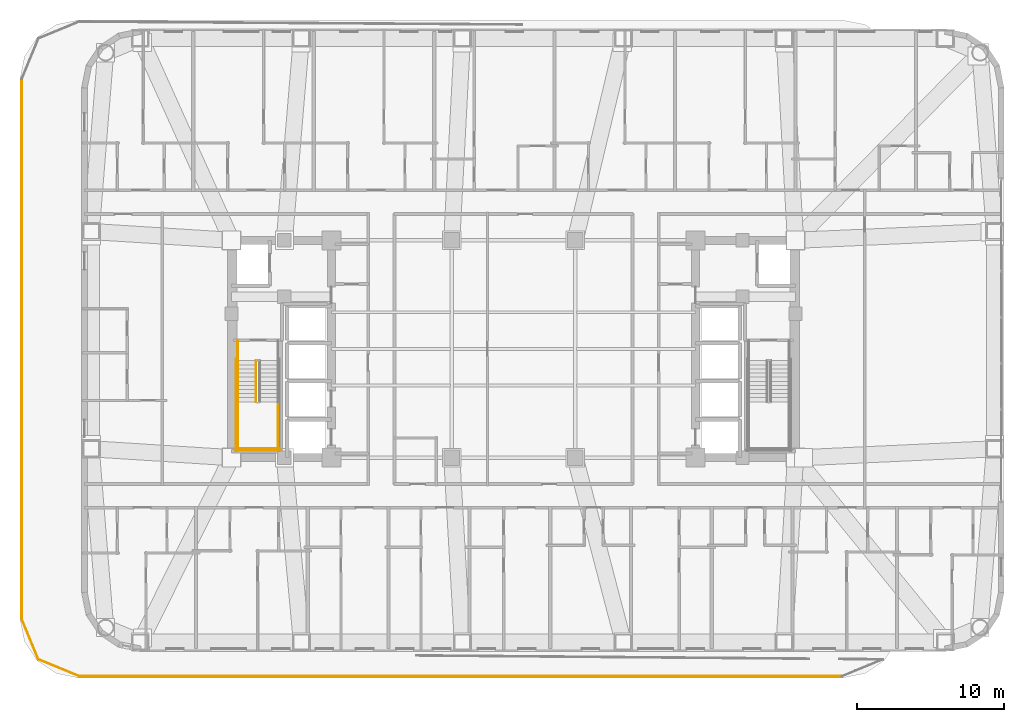
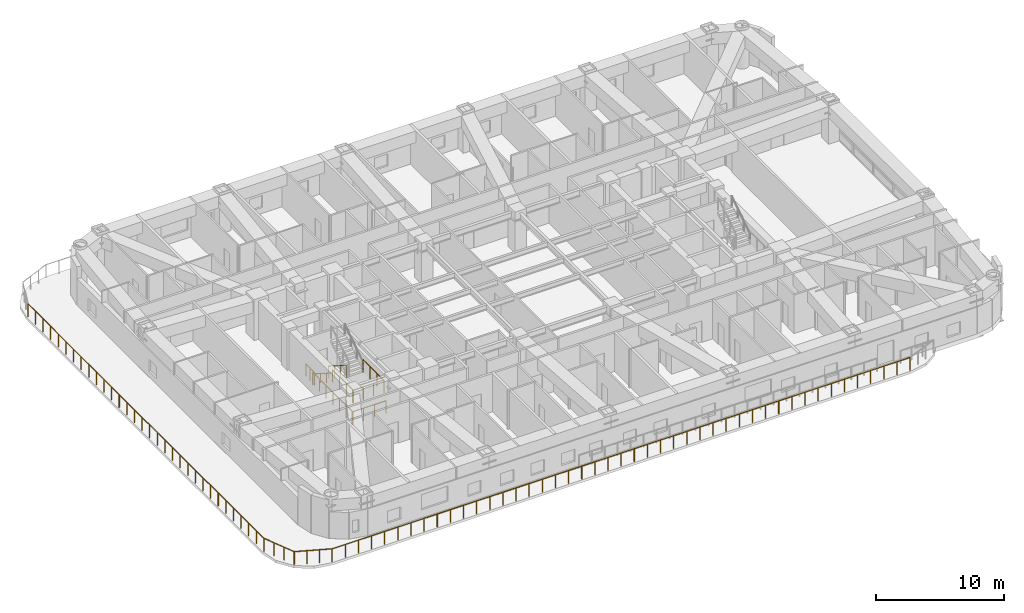
# One storey, part 14 of 18: 12 railings.
"""IFC4 building model written with IfcOpenShell, lengths in metres."""

from ifc_helpers import new_model, si_unit, direction, frame, origin, origin_2d, place, context, subcontext, project, spatial, circle, extrude, material, type_object, element, save


model = new_model("IFC4")

# Units and contexts
model_context = context("Model", 3, precision=1e-05, world=origin(), true_north=direction((0.0, 1.0)))
body_context = subcontext(model_context, "Body", "Model", "MODEL_VIEW")
ifc_project = project(units=[si_unit("LENGTHUNIT", "METRE"), si_unit("AREAUNIT", "SQUARE_METRE"), si_unit("VOLUMEUNIT", "CUBIC_METRE"), si_unit("PLANEANGLEUNIT", "RADIAN"), si_unit("MASSUNIT", "GRAM", prefix="KILO")], contexts=[model_context])

# Site, building, storey
site_placement = place(None, origin())
site = spatial("IfcSite", under=ifc_project, at=site_placement, CompositionType="ELEMENT")
building_placement = place(site_placement, origin())
building = spatial("IfcBuilding", under=site, at=building_placement, Name="Voryun Gate Residences", CompositionType="ELEMENT")
storey_placement = place(building_placement, frame((0.0, 0.0, 85.800048828125)))
storey = spatial("IfcBuildingStorey", under=building, at=storey_placement, Name="L20", CompositionType="ELEMENT", Elevation=85.800048828125)

# Railings
ifc_material_1 = material(Name="Painted steel", Category="steel")
railing_type_1 = type_object("IfcRailingType", Name="RAIL_STAIR_GUARD_1200", PredefinedType="GUARDRAIL", material=ifc_material_1)
railing_1_placement = place(storey_placement, frame((-17.52490234375, -0.800048828125, 0.17724609375)))
element("IfcRailing", 1, at=railing_1_placement, inside=storey, type_object=railing_type_1, Name="L20 ST-W1 stair guard 1", PredefinedType="GUARDRAIL", context=body_context, shape_type="SweptSolid", body=[
    extrude(circle(Radius=0.02392578125, at=origin_2d()), frame((0.0, 0.0, 1.17578125), z_axis=(0.0, -0.844908973607, 0.534910110503), x_axis=(1.0, 0.0, 0.0)), (0.0, 0.0, 1.0), 3.31396484375),
    extrude(circle(Radius=0.02099609375, at=origin_2d()), origin(), (0.0, 0.0, 1.0), 1.15185546875),
    extrude(circle(Radius=0.02099609375, at=origin_2d()), frame((0.0, -0.933349609375, 0.5908203125)), (0.0, 0.0, 1.0), 1.15185546875),
    extrude(circle(Radius=0.02099609375, at=origin_2d()), frame((0.0, -1.86669921875, 1.181884765625)), (0.0, 0.0, 1.0), 1.15185546875),
    extrude(circle(Radius=0.02099609375, at=origin_2d()), frame((0.0, -2.800048828125, 1.772705078125)), (0.0, 0.0, 1.0), 1.15185546875),
])
for number, where, name in (
    (2, (-18.77490234375, -3.60009765625, 1.949951171875), "L20 ST-W1 stair guard 3"),
    (3, (-16.02490234375, -3.60009765625, 1.949951171875), "L20 ST-W1 stair guard 4"),
):
    element("IfcRailing", number, at=place(storey_placement, frame(where)), inside=storey, type_object=railing_type_1, Name=name, PredefinedType="GUARDRAIL", context=body_context, shape_type="SweptSolid", body=[
        extrude(circle(Radius=0.02392578125, at=origin_2d()), frame((0.0, 0.0, 1.17578125), z_axis=(0.0, -1.0, 0.0), x_axis=(1.0, 0.0, 0.0)), (0.0, 0.0, 1.0), 3.25),
        extrude(circle(Radius=0.02099609375, at=origin_2d()), origin(), (0.0, 0.0, 1.0), 1.15185546875),
        extrude(circle(Radius=0.02099609375, at=origin_2d()), frame((0.0, -1.083251953125, 0.0)), (0.0, 0.0, 1.0), 1.15185546875),
        extrude(circle(Radius=0.02099609375, at=origin_2d()), frame((0.0, -2.166748046875, 0.0)), (0.0, 0.0, 1.0), 1.15185546875),
        extrude(circle(Radius=0.02099609375, at=origin_2d()), frame((0.0, -3.25, 0.0)), (0.0, 0.0, 1.0), 1.15185546875),
    ])
railing_2_placement = place(storey_placement, frame((-18.824951171875, -6.800048828125, 1.949951171875)))
element("IfcRailing", 4, at=railing_2_placement, inside=storey, type_object=railing_type_1, Name="L20 ST-W1 stair guard 5", PredefinedType="GUARDRAIL", context=body_context, shape_type="SweptSolid", body=[
    extrude(circle(Radius=0.02392578125, at=origin_2d()), frame((0.0, 0.0, 1.17578125), z_axis=(1.0, 0.0, 0.0), x_axis=(0.0, 1.0, 0.0)), (0.0, 0.0, 1.0), 2.849853515625),
    extrude(circle(Radius=0.02099609375, at=origin_2d()), origin(), (0.0, 0.0, 1.0), 1.15185546875),
    extrude(circle(Radius=0.02099609375, at=origin_2d()), frame((0.949951171875, 0.0, 0.0)), (0.0, 0.0, 1.0), 1.15185546875),
    extrude(circle(Radius=0.02099609375, at=origin_2d()), frame((1.89990234375, 0.0, 0.0)), (0.0, 0.0, 1.0), 1.15185546875),
    extrude(circle(Radius=0.02099609375, at=origin_2d()), frame((2.849853515625, 0.0, 0.0)), (0.0, 0.0, 1.0), 1.15185546875),
])
railing_3_placement = place(storey_placement, frame((-18.77490234375, 0.550048828125, 0.0)))
element("IfcRailing", 5, at=railing_3_placement, inside=storey, type_object=railing_type_1, Name="L20 ST-W1 stair guard 8", PredefinedType="GUARDRAIL", context=body_context, shape_type="SweptSolid", body=[
    extrude(circle(Radius=0.02392578125, at=origin_2d()), frame((0.0, 0.0, 1.17578125), z_axis=(0.0, -1.0, 0.0), x_axis=(1.0, 0.0, 0.0)), (0.0, 0.0, 1.0), 1.35009765625),
    extrude(circle(Radius=0.02099609375, at=origin_2d()), origin(), (0.0, 0.0, 1.0), 1.15185546875),
    extrude(circle(Radius=0.02099609375, at=origin_2d()), frame((0.0, -0.675048828125, 0.0)), (0.0, 0.0, 1.0), 1.15185546875),
    extrude(circle(Radius=0.02099609375, at=origin_2d()), frame((0.0, -1.35009765625, 0.0)), (0.0, 0.0, 1.0), 1.15185546875),
])
railing_4_placement = place(storey_placement, frame((-18.875, -0.699951171875, 0.0)))
element("IfcRailing", 6, at=railing_4_placement, inside=storey, type_object=railing_type_1, Name="L20 ST-W1 stair guard 10", PredefinedType="GUARDRAIL", context=body_context, shape_type="SweptSolid", body=[
    extrude(circle(Radius=0.02392578125, at=origin_2d()), frame((0.0, 0.0, 1.17578125), z_axis=(0.0, -1.0, 0.0), x_axis=(1.0, 0.0, 0.0)), (0.0, 0.0, 1.0), 6.25),
    extrude(circle(Radius=0.02099609375, at=origin_2d()), origin(), (0.0, 0.0, 1.0), 1.15185546875),
    extrude(circle(Radius=0.02099609375, at=origin_2d()), frame((0.0, -1.041748046875, 0.0)), (0.0, 0.0, 1.0), 1.15185546875),
    extrude(circle(Radius=0.02099609375, at=origin_2d()), frame((0.0, -2.083251953125, 0.0)), (0.0, 0.0, 1.0), 1.15185546875),
    extrude(circle(Radius=0.02099609375, at=origin_2d()), frame((0.0, -3.125, 0.0)), (0.0, 0.0, 1.0), 1.15185546875),
    extrude(circle(Radius=0.02099609375, at=origin_2d()), frame((0.0, -4.166748046875, 0.0)), (0.0, 0.0, 1.0), 1.15185546875),
    extrude(circle(Radius=0.02099609375, at=origin_2d()), frame((0.0, -5.208251953125, 0.0)), (0.0, 0.0, 1.0), 1.15185546875),
    extrude(circle(Radius=0.02099609375, at=origin_2d()), frame((0.0, -6.25, 0.0)), (0.0, 0.0, 1.0), 1.15185546875),
])
railing_5_placement = place(storey_placement, frame((-18.925048828125, -6.89990234375, 0.0)))
element("IfcRailing", 7, at=railing_5_placement, inside=storey, type_object=railing_type_1, Name="L20 ST-W1 stair guard 12", PredefinedType="GUARDRAIL", context=body_context, shape_type="SweptSolid", body=[
    extrude(circle(Radius=0.02392578125, at=origin_2d()), frame((0.0, 0.0, 1.17578125), z_axis=(1.0, 0.0, 0.0), x_axis=(0.0, 1.0, 0.0)), (0.0, 0.0, 1.0), 3.050048828125),
    extrude(circle(Radius=0.02099609375, at=origin_2d()), origin(), (0.0, 0.0, 1.0), 1.15185546875),
    extrude(circle(Radius=0.02099609375, at=origin_2d()), frame((1.0166015625, 0.0, 0.0)), (0.0, 0.0, 1.0), 1.15185546875),
    extrude(circle(Radius=0.02099609375, at=origin_2d()), frame((2.033447265625, 0.0, 0.0)), (0.0, 0.0, 1.0), 1.15185546875),
    extrude(circle(Radius=0.02099609375, at=origin_2d()), frame((3.050048828125, 0.0, 0.0)), (0.0, 0.0, 1.0), 1.15185546875),
])
ifc_material_2 = material(Name="Painted steel", Category="steel")
railing_type_2 = type_object("IfcRailingType", Name="RAIL_STAIR_HANDRAIL_900", PredefinedType="HANDRAIL", material=ifc_material_2)
railing_6_placement = place(storey_placement, frame((-18.77490234375, -0.800048828125, 0.17724609375)))
element("IfcRailing", 8, at=railing_6_placement, inside=storey, type_object=railing_type_2, Name="L20 ST-W1 stair handrail 1", PredefinedType="HANDRAIL", context=body_context, shape_type="SweptSolid", body=[
    extrude(circle(Radius=0.02392578125, at=origin_2d()), frame((0.0, 0.0, 0.8759765625), z_axis=(0.0, -0.844908973607, 0.534910110503), x_axis=(1.0, 0.0, 0.0)), (0.0, 0.0, 1.0), 3.31396484375),
    extrude(circle(Radius=0.02099609375, at=origin_2d()), origin(), (0.0, 0.0, 1.0), 0.851806640625),
    extrude(circle(Radius=0.02099609375, at=origin_2d()), frame((0.0, -0.933349609375, 0.5908203125)), (0.0, 0.0, 1.0), 0.851806640625),
    extrude(circle(Radius=0.02099609375, at=origin_2d()), frame((0.0, -1.86669921875, 1.181884765625)), (0.0, 0.0, 1.0), 0.851806640625),
    extrude(circle(Radius=0.02099609375, at=origin_2d()), frame((0.0, -2.800048828125, 1.772705078125)), (0.0, 0.0, 1.0), 0.851806640625),
])
ifc_material_3 = material(Name="Anodised aluminium", Category="aluminium")
railing_type_3 = type_object("IfcRailingType", Name="RAIL_TERRACE_GUARD_1250", PredefinedType="GUARDRAIL", material=ifc_material_3)
railing_7_placement = place(storey_placement, frame((22.38818359375, -22.280029296875, 0.0)))
element("IfcRailing", 9, at=railing_7_placement, inside=storey, type_object=railing_type_3, Name="Terrace guard RL-L20-P1L1-02", PredefinedType="GUARDRAIL", context=body_context, shape_type="SweptSolid", body=[
    extrude(circle(Radius=0.02392578125, at=origin_2d()), frame((0.0, 0.0, 1.22607421875), z_axis=(-1.0, 0.0, 0.0), x_axis=(0.0, -1.0, 0.0)), (0.0, 0.0, 1.0), 51.976318359375),
    extrude(circle(Radius=0.02099609375, at=origin_2d()), origin(), (0.0, 0.0, 1.0), 1.201904296875),
    extrude(circle(Radius=0.02099609375, at=origin_2d()), frame((-1.181396484375, 0.0, 0.0)), (0.0, 0.0, 1.0), 1.201904296875),
    extrude(circle(Radius=0.02099609375, at=origin_2d()), frame((-2.362548828125, 0.0, 0.0)), (0.0, 0.0, 1.0), 1.201904296875),
    extrude(circle(Radius=0.02099609375, at=origin_2d()), frame((-3.5439453125, 0.0, 0.0)), (0.0, 0.0, 1.0), 1.201904296875),
    extrude(circle(Radius=0.02099609375, at=origin_2d()), frame((-4.72509765625, 0.0, 0.0)), (0.0, 0.0, 1.0), 1.201904296875),
    extrude(circle(Radius=0.02099609375, at=origin_2d()), frame((-5.906494140625, 0.0, 0.0)), (0.0, 0.0, 1.0), 1.201904296875),
    extrude(circle(Radius=0.02099609375, at=origin_2d()), frame((-7.087646484375, 0.0, 0.0)), (0.0, 0.0, 1.0), 1.201904296875),
    extrude(circle(Radius=0.02099609375, at=origin_2d()), frame((-8.26904296875, 0.0, 0.0)), (0.0, 0.0, 1.0), 1.201904296875),
    extrude(circle(Radius=0.02099609375, at=origin_2d()), frame((-9.4501953125, 0.0, 0.0)), (0.0, 0.0, 1.0), 1.201904296875),
    extrude(circle(Radius=0.02099609375, at=origin_2d()), frame((-10.631591796875, 0.0, 0.0)), (0.0, 0.0, 1.0), 1.201904296875),
    extrude(circle(Radius=0.02099609375, at=origin_2d()), frame((-11.812744140625, 0.0, 0.0)), (0.0, 0.0, 1.0), 1.201904296875),
    extrude(circle(Radius=0.02099609375, at=origin_2d()), frame((-12.994140625, 0.0, 0.0)), (0.0, 0.0, 1.0), 1.201904296875),
    extrude(circle(Radius=0.02099609375, at=origin_2d()), frame((-14.17529296875, 0.0, 0.0)), (0.0, 0.0, 1.0), 1.201904296875),
    extrude(circle(Radius=0.02099609375, at=origin_2d()), frame((-15.356689453125, 0.0, 0.0)), (0.0, 0.0, 1.0), 1.201904296875),
    extrude(circle(Radius=0.02099609375, at=origin_2d()), frame((-16.537841796875, 0.0, 0.0)), (0.0, 0.0, 1.0), 1.201904296875),
    extrude(circle(Radius=0.02099609375, at=origin_2d()), frame((-17.71923828125, 0.0, 0.0)), (0.0, 0.0, 1.0), 1.201904296875),
    extrude(circle(Radius=0.02099609375, at=origin_2d()), frame((-18.900390625, 0.0, 0.0)), (0.0, 0.0, 1.0), 1.201904296875),
    extrude(circle(Radius=0.02099609375, at=origin_2d()), frame((-20.081787109375, 0.0, 0.0)), (0.0, 0.0, 1.0), 1.201904296875),
    extrude(circle(Radius=0.02099609375, at=origin_2d()), frame((-21.262939453125, 0.0, 0.0)), (0.0, 0.0, 1.0), 1.201904296875),
    extrude(circle(Radius=0.02099609375, at=origin_2d()), frame((-22.4443359375, 0.0, 0.0)), (0.0, 0.0, 1.0), 1.201904296875),
    extrude(circle(Radius=0.02099609375, at=origin_2d()), frame((-23.62548828125, 0.0, 0.0)), (0.0, 0.0, 1.0), 1.201904296875),
    extrude(circle(Radius=0.02099609375, at=origin_2d()), frame((-24.806884765625, 0.0, 0.0)), (0.0, 0.0, 1.0), 1.201904296875),
    extrude(circle(Radius=0.02099609375, at=origin_2d()), frame((-25.98828125, 0.0, 0.0)), (0.0, 0.0, 1.0), 1.201904296875),
    extrude(circle(Radius=0.02099609375, at=origin_2d()), frame((-27.16943359375, 0.0, 0.0)), (0.0, 0.0, 1.0), 1.201904296875),
    extrude(circle(Radius=0.02099609375, at=origin_2d()), frame((-28.350830078125, 0.0, 0.0)), (0.0, 0.0, 1.0), 1.201904296875),
    extrude(circle(Radius=0.02099609375, at=origin_2d()), frame((-29.531982421875, 0.0, 0.0)), (0.0, 0.0, 1.0), 1.201904296875),
    extrude(circle(Radius=0.02099609375, at=origin_2d()), frame((-30.71337890625, 0.0, 0.0)), (0.0, 0.0, 1.0), 1.201904296875),
    extrude(circle(Radius=0.02099609375, at=origin_2d()), frame((-31.89453125, 0.0, 0.0)), (0.0, 0.0, 1.0), 1.201904296875),
    extrude(circle(Radius=0.02099609375, at=origin_2d()), frame((-33.075927734375, 0.0, 0.0)), (0.0, 0.0, 1.0), 1.201904296875),
    extrude(circle(Radius=0.02099609375, at=origin_2d()), frame((-34.257080078125, 0.0, 0.0)), (0.0, 0.0, 1.0), 1.201904296875),
    extrude(circle(Radius=0.02099609375, at=origin_2d()), frame((-35.4384765625, 0.0, 0.0)), (0.0, 0.0, 1.0), 1.201904296875),
    extrude(circle(Radius=0.02099609375, at=origin_2d()), frame((-36.61962890625, 0.0, 0.0)), (0.0, 0.0, 1.0), 1.201904296875),
    extrude(circle(Radius=0.02099609375, at=origin_2d()), frame((-37.801025390625, 0.0, 0.0)), (0.0, 0.0, 1.0), 1.201904296875),
    extrude(circle(Radius=0.02099609375, at=origin_2d()), frame((-38.982177734375, 0.0, 0.0)), (0.0, 0.0, 1.0), 1.201904296875),
    extrude(circle(Radius=0.02099609375, at=origin_2d()), frame((-40.16357421875, 0.0, 0.0)), (0.0, 0.0, 1.0), 1.201904296875),
    extrude(circle(Radius=0.02099609375, at=origin_2d()), frame((-41.3447265625, 0.0, 0.0)), (0.0, 0.0, 1.0), 1.201904296875),
    extrude(circle(Radius=0.02099609375, at=origin_2d()), frame((-42.526123046875, 0.0, 0.0)), (0.0, 0.0, 1.0), 1.201904296875),
    extrude(circle(Radius=0.02099609375, at=origin_2d()), frame((-43.707275390625, 0.0, 0.0)), (0.0, 0.0, 1.0), 1.201904296875),
    extrude(circle(Radius=0.02099609375, at=origin_2d()), frame((-44.888671875, 0.0, 0.0)), (0.0, 0.0, 1.0), 1.201904296875),
    extrude(circle(Radius=0.02099609375, at=origin_2d()), frame((-46.06982421875, 0.0, 0.0)), (0.0, 0.0, 1.0), 1.201904296875),
    extrude(circle(Radius=0.02099609375, at=origin_2d()), frame((-47.251220703125, 0.0, 0.0)), (0.0, 0.0, 1.0), 1.201904296875),
    extrude(circle(Radius=0.02099609375, at=origin_2d()), frame((-48.432373046875, 0.0, 0.0)), (0.0, 0.0, 1.0), 1.201904296875),
    extrude(circle(Radius=0.02099609375, at=origin_2d()), frame((-49.61376953125, 0.0, 0.0)), (0.0, 0.0, 1.0), 1.201904296875),
    extrude(circle(Radius=0.02099609375, at=origin_2d()), frame((-50.794921875, 0.0, 0.0)), (0.0, 0.0, 1.0), 1.201904296875),
    extrude(circle(Radius=0.02099609375, at=origin_2d()), frame((-51.976318359375, 0.0, 0.0)), (0.0, 0.0, 1.0), 1.201904296875),
])
railing_8_placement = place(storey_placement, frame((-29.588134765625, -22.280029296875, 0.0)))
element("IfcRailing", 10, at=railing_8_placement, inside=storey, type_object=railing_type_3, Name="Terrace guard RL-L20-P1L1-03", PredefinedType="GUARDRAIL", context=body_context, shape_type="SweptSolid", body=[
    extrude(circle(Radius=0.02392578125, at=origin_2d()), frame((0.0, 0.0, 1.22607421875), z_axis=(-0.924166494008, 0.381989910015, 0.0), x_axis=(-0.381989910015, -0.924166494008, 0.0)), (0.0, 0.0, 1.0), 2.979736328125),
    extrude(circle(Radius=0.02099609375, at=origin_2d()), origin(), (0.0, 0.0, 1.0), 1.201904296875),
    extrude(circle(Radius=0.02099609375, at=origin_2d()), frame((-0.91796875, 0.37939453125, 0.0)), (0.0, 0.0, 1.0), 1.201904296875),
    extrude(circle(Radius=0.02099609375, at=origin_2d()), frame((-1.835693359375, 0.7587890625, 0.0)), (0.0, 0.0, 1.0), 1.201904296875),
    extrude(circle(Radius=0.02099609375, at=origin_2d()), frame((-2.753662109375, 1.13818359375, 0.0)), (0.0, 0.0, 1.0), 1.201904296875),
])
railing_9_placement = place(storey_placement, frame((-32.341796875, -21.141845703125, 0.0)))
element("IfcRailing", 11, at=railing_9_placement, inside=storey, type_object=railing_type_3, Name="Terrace guard RL-L20-P1L1-04", PredefinedType="GUARDRAIL", context=body_context, shape_type="SweptSolid", body=[
    extrude(circle(Radius=0.02392578125, at=origin_2d()), frame((0.0, 0.0, 1.22607421875), z_axis=(-0.381989910015, 0.924166494008, 0.0), x_axis=(-0.924166494008, -0.381989910015, 0.0)), (0.0, 0.0, 1.0), 2.979736328125),
    extrude(circle(Radius=0.02099609375, at=origin_2d()), origin(), (0.0, 0.0, 1.0), 1.201904296875),
    extrude(circle(Radius=0.02099609375, at=origin_2d()), frame((-0.37939453125, 0.91796875, 0.0)), (0.0, 0.0, 1.0), 1.201904296875),
    extrude(circle(Radius=0.02099609375, at=origin_2d()), frame((-0.7587890625, 1.835693359375, 0.0)), (0.0, 0.0, 1.0), 1.201904296875),
    extrude(circle(Radius=0.02099609375, at=origin_2d()), frame((-1.13818359375, 2.753662109375, 0.0)), (0.0, 0.0, 1.0), 1.201904296875),
])
railing_10_placement = place(storey_placement, frame((-33.47998046875, -18.38818359375, 0.0)))
element("IfcRailing", 12, at=railing_10_placement, inside=storey, type_object=railing_type_3, Name="Terrace guard RL-L20-P1L1-05", PredefinedType="GUARDRAIL", context=body_context, shape_type="SweptSolid", body=[
    extrude(circle(Radius=0.02392578125, at=origin_2d()), frame((0.0, 0.0, 1.22607421875), z_axis=(0.0, 1.0, 0.0), x_axis=(-1.0, 0.0, 0.0)), (0.0, 0.0, 1.0), 36.7763671875),
    extrude(circle(Radius=0.02099609375, at=origin_2d()), origin(), (0.0, 0.0, 1.0), 1.201904296875),
    extrude(circle(Radius=0.02099609375, at=origin_2d()), frame((0.0, 1.186279296875, 0.0)), (0.0, 0.0, 1.0), 1.201904296875),
    extrude(circle(Radius=0.02099609375, at=origin_2d()), frame((0.0, 2.37255859375, 0.0)), (0.0, 0.0, 1.0), 1.201904296875),
    extrude(circle(Radius=0.02099609375, at=origin_2d()), frame((0.0, 3.55908203125, 0.0)), (0.0, 0.0, 1.0), 1.201904296875),
    extrude(circle(Radius=0.02099609375, at=origin_2d()), frame((0.0, 4.745361328125, 0.0)), (0.0, 0.0, 1.0), 1.201904296875),
    extrude(circle(Radius=0.02099609375, at=origin_2d()), frame((0.0, 5.931640625, 0.0)), (0.0, 0.0, 1.0), 1.201904296875),
    extrude(circle(Radius=0.02099609375, at=origin_2d()), frame((0.0, 7.117919921875, 0.0)), (0.0, 0.0, 1.0), 1.201904296875),
    extrude(circle(Radius=0.02099609375, at=origin_2d()), frame((0.0, 8.304443359375, 0.0)), (0.0, 0.0, 1.0), 1.201904296875),
    extrude(circle(Radius=0.02099609375, at=origin_2d()), frame((0.0, 9.49072265625, 0.0)), (0.0, 0.0, 1.0), 1.201904296875),
    extrude(circle(Radius=0.02099609375, at=origin_2d()), frame((0.0, 10.677001953125, 0.0)), (0.0, 0.0, 1.0), 1.201904296875),
    extrude(circle(Radius=0.02099609375, at=origin_2d()), frame((0.0, 11.86328125, 0.0)), (0.0, 0.0, 1.0), 1.201904296875),
    extrude(circle(Radius=0.02099609375, at=origin_2d()), frame((0.0, 13.049560546875, 0.0)), (0.0, 0.0, 1.0), 1.201904296875),
    extrude(circle(Radius=0.02099609375, at=origin_2d()), frame((0.0, 14.236083984375, 0.0)), (0.0, 0.0, 1.0), 1.201904296875),
    extrude(circle(Radius=0.02099609375, at=origin_2d()), frame((0.0, 15.42236328125, 0.0)), (0.0, 0.0, 1.0), 1.201904296875),
    extrude(circle(Radius=0.02099609375, at=origin_2d()), frame((0.0, 16.608642578125, 0.0)), (0.0, 0.0, 1.0), 1.201904296875),
    extrude(circle(Radius=0.02099609375, at=origin_2d()), frame((0.0, 17.794921875, 0.0)), (0.0, 0.0, 1.0), 1.201904296875),
    extrude(circle(Radius=0.02099609375, at=origin_2d()), frame((0.0, 18.9814453125, 0.0)), (0.0, 0.0, 1.0), 1.201904296875),
    extrude(circle(Radius=0.02099609375, at=origin_2d()), frame((0.0, 20.167724609375, 0.0)), (0.0, 0.0, 1.0), 1.201904296875),
    extrude(circle(Radius=0.02099609375, at=origin_2d()), frame((0.0, 21.35400390625, 0.0)), (0.0, 0.0, 1.0), 1.201904296875),
    extrude(circle(Radius=0.02099609375, at=origin_2d()), frame((0.0, 22.540283203125, 0.0)), (0.0, 0.0, 1.0), 1.201904296875),
    extrude(circle(Radius=0.02099609375, at=origin_2d()), frame((0.0, 23.726806640625, 0.0)), (0.0, 0.0, 1.0), 1.201904296875),
    extrude(circle(Radius=0.02099609375, at=origin_2d()), frame((0.0, 24.9130859375, 0.0)), (0.0, 0.0, 1.0), 1.201904296875),
    extrude(circle(Radius=0.02099609375, at=origin_2d()), frame((0.0, 26.099365234375, 0.0)), (0.0, 0.0, 1.0), 1.201904296875),
    extrude(circle(Radius=0.02099609375, at=origin_2d()), frame((0.0, 27.28564453125, 0.0)), (0.0, 0.0, 1.0), 1.201904296875),
    extrude(circle(Radius=0.02099609375, at=origin_2d()), frame((0.0, 28.471923828125, 0.0)), (0.0, 0.0, 1.0), 1.201904296875),
    extrude(circle(Radius=0.02099609375, at=origin_2d()), frame((0.0, 29.658447265625, 0.0)), (0.0, 0.0, 1.0), 1.201904296875),
    extrude(circle(Radius=0.02099609375, at=origin_2d()), frame((0.0, 30.8447265625, 0.0)), (0.0, 0.0, 1.0), 1.201904296875),
    extrude(circle(Radius=0.02099609375, at=origin_2d()), frame((0.0, 32.031005859375, 0.0)), (0.0, 0.0, 1.0), 1.201904296875),
    extrude(circle(Radius=0.02099609375, at=origin_2d()), frame((0.0, 33.21728515625, 0.0)), (0.0, 0.0, 1.0), 1.201904296875),
    extrude(circle(Radius=0.02099609375, at=origin_2d()), frame((0.0, 34.40380859375, 0.0)), (0.0, 0.0, 1.0), 1.201904296875),
    extrude(circle(Radius=0.02099609375, at=origin_2d()), frame((0.0, 35.590087890625, 0.0)), (0.0, 0.0, 1.0), 1.201904296875),
    extrude(circle(Radius=0.02099609375, at=origin_2d()), frame((0.0, 36.7763671875, 0.0)), (0.0, 0.0, 1.0), 1.201904296875),
])

save(model, "model.ifc")
